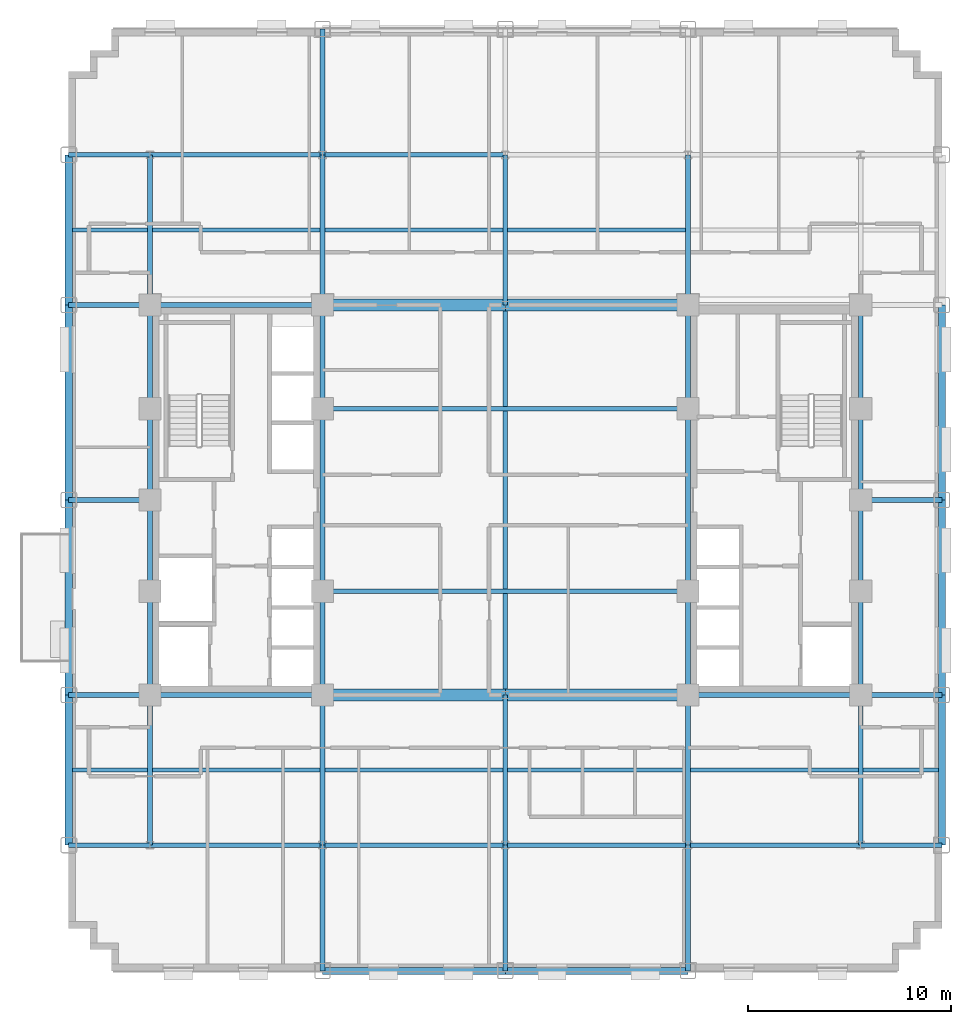
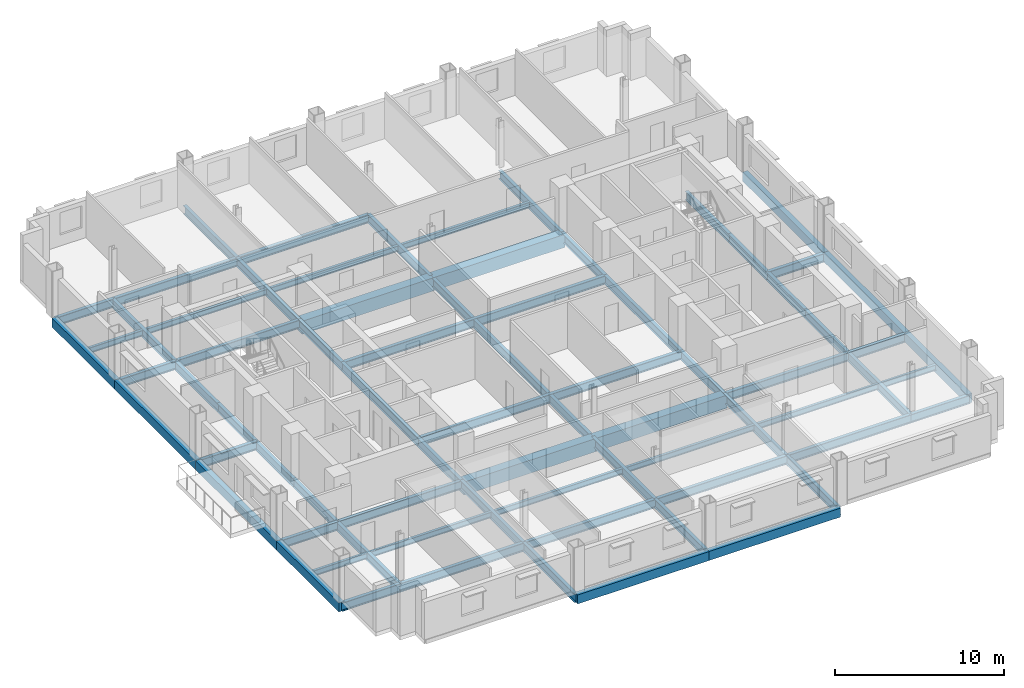
# One storey, part 4 of 14: 70 beams.
"""IFC4 building model written with IfcOpenShell, lengths in metres."""

from ifc_helpers import new_model, si_unit, direction, frame, origin, origin_2d, place, context, subcontext, project, spatial, rectangle, i_section, extrude, material, material_profile, profile_set, type_object, element, save


model = new_model("IFC4")

# Units and contexts
model_context = context("Model", 3, precision=1e-05, world=origin(), true_north=direction((0.0, 1.0)))
body_context = subcontext(model_context, "Body", "Model", "MODEL_VIEW")
ifc_project = project(units=[si_unit("LENGTHUNIT", "METRE"), si_unit("AREAUNIT", "SQUARE_METRE"), si_unit("VOLUMEUNIT", "CUBIC_METRE"), si_unit("PLANEANGLEUNIT", "RADIAN"), si_unit("MASSUNIT", "GRAM", prefix="KILO")], contexts=[model_context])

# Site, building, storey
site_placement = place(None, origin())
site = spatial("IfcSite", under=ifc_project, at=site_placement, CompositionType="ELEMENT")
building_placement = place(site_placement, origin())
building = spatial("IfcBuilding", under=site, at=building_placement, Name="Nuvemarco Arch Tower", CompositionType="ELEMENT")
storey_placement = place(building_placement, frame((0.0, 0.0, 64.10009765625)))
storey = spatial("IfcBuildingStorey", under=building, at=storey_placement, Name="L16", CompositionType="ELEMENT", Elevation=64.10009765625)

# Beams
ifc_material_1 = material(Name="Concrete C60/75", Category="concrete")
ifc_material_profile_1 = material_profile(ifc_material_1, rectangle(XDim=0.60009765625, YDim=0.949951171875, at=origin_2d()), Name="RC-BM-600x950")
ifc_profile_set_1 = profile_set([ifc_material_profile_1], Name="Concrete C60/75")
beam_type_1 = type_object("IfcBeamType", Name="BM-COUP-RC", PredefinedType="LINTEL", material=ifc_profile_set_1)
for number, where, z_axis, x_axis, name in (
    (1, (-9.0, -9.60009765625, -0.755126953125), (1.0, 0.0, 0.0), (0.0, 1.0, 0.0), "L16 structural beam BGEW_L16_0_-9.6_-9.0"),
    (2, (0.0, -9.60009765625, -0.755126953125), (1.0, 0.0, 0.0), (0.0, 1.0, 0.0), "L16 structural beam BGEW_L16_0_-9.6_+0.0"),
    (3, (-9.0, 9.60009765625, -0.755126953125), (1.0, 0.0, 0.0), (0.0, 1.0, 0.0), "L16 structural beam BGEW_L16_0_+9.6_-9.0"),
    (4, (0.0, 9.60009765625, -0.755126953125), (1.0, 0.0, 0.0), (0.0, 1.0, 0.0), "L16 structural beam BGEW_L16_0_+9.6_+0.0"),
):
    element("IfcBeam", number, at=place(storey_placement, frame(where, z_axis=z_axis, x_axis=x_axis)), inside=storey, type_object=beam_type_1, Name=name, PredefinedType="LINTEL", context=body_context, shape_type="SweptSolid", body=[
        extrude(rectangle(XDim=0.60009765625, YDim=0.949951171875, at=origin_2d()), origin(), (0.0, 0.0, 1.0), 9.0),
    ])
ifc_material_2 = material(Name="Steel S355", Category="steel")
ifc_material_profile_2 = material_profile(ifc_material_2, i_section(OverallWidth=0.22998046875, OverallDepth=0.616943359375, WebThickness=0.01318359375, FlangeThickness=0.022216796875, FilletRadius=0.01611328125, at=origin_2d()), Name="W610x140")
ifc_profile_set_2 = profile_set([ifc_material_profile_2], Name="Steel S355")
beam_type_2 = type_object("IfcBeamType", Name="BM-GIRD-610", PredefinedType="BEAM", material=ifc_profile_set_2)
beam_1_placement = place(storey_placement, frame((-17.5, -17.0, -0.588623046875), z_axis=(0.0, 1.0, 0.0), x_axis=(-1.0, 0.0, 0.0)))
element("IfcBeam", 5, at=beam_1_placement, inside=storey, type_object=beam_type_2, Name="L16 structural beam BGNS_L16_0_-17.5_-17.0", PredefinedType="BEAM", context=body_context, shape_type="SweptSolid", body=[
    extrude(i_section(OverallWidth=0.22998046875, OverallDepth=0.616943359375, WebThickness=0.01318359375, FlangeThickness=0.022216796875, FilletRadius=0.01611328125, at=origin_2d()), origin(), (0.0, 0.0, 1.0), 7.39990234375),
])
beam_2_placement = place(storey_placement, frame((-17.5, -9.60009765625, -0.588623046875), z_axis=(0.0, 1.0, 0.0), x_axis=(-1.0, 0.0, 0.0)))
element("IfcBeam", 6, at=beam_2_placement, inside=storey, type_object=beam_type_2, Name="L16 structural beam BGNS_L16_0_-17.5_-9.6", PredefinedType="BEAM", context=body_context, shape_type="SweptSolid", body=[
    extrude(i_section(OverallWidth=0.22998046875, OverallDepth=0.616943359375, WebThickness=0.01318359375, FlangeThickness=0.022216796875, FilletRadius=0.01611328125, at=origin_2d()), origin(), (0.0, 0.0, 1.0), 5.10009765625),
])
for number, where, z_axis, x_axis, name in (
    (7, (-17.5, -4.5, -0.588623046875), (0.0, 1.0, 0.0), (-1.0, 0.0, 0.0), "L16 structural beam BGNS_L16_0_-17.5_-4.5"),
    (8, (-17.5, 0.0, -0.588623046875), (0.0, 1.0, 0.0), (-1.0, 0.0, 0.0), "L16 structural beam BGNS_L16_0_-17.5_+0.0"),
):
    element("IfcBeam", number, at=place(storey_placement, frame(where, z_axis=z_axis, x_axis=x_axis)), inside=storey, type_object=beam_type_2, Name=name, PredefinedType="BEAM", context=body_context, shape_type="SweptSolid", body=[
        extrude(i_section(OverallWidth=0.22998046875, OverallDepth=0.616943359375, WebThickness=0.01318359375, FlangeThickness=0.022216796875, FilletRadius=0.01611328125, at=origin_2d()), origin(), (0.0, 0.0, 1.0), 4.5),
    ])
beam_3_placement = place(storey_placement, frame((-17.5, 4.5, -0.588623046875), z_axis=(0.0, 1.0, 0.0), x_axis=(-1.0, 0.0, 0.0)))
element("IfcBeam", 9, at=beam_3_placement, inside=storey, type_object=beam_type_2, Name="L16 structural beam BGNS_L16_0_-17.5_+4.5", PredefinedType="BEAM", context=body_context, shape_type="SweptSolid", body=[
    extrude(i_section(OverallWidth=0.22998046875, OverallDepth=0.616943359375, WebThickness=0.01318359375, FlangeThickness=0.022216796875, FilletRadius=0.01611328125, at=origin_2d()), origin(), (0.0, 0.0, 1.0), 5.10009765625),
])
beam_4_placement = place(storey_placement, frame((-17.5, 9.60009765625, -0.588623046875), z_axis=(0.0, 1.0, 0.0), x_axis=(-1.0, 0.0, 0.0)))
element("IfcBeam", 10, at=beam_4_placement, inside=storey, type_object=beam_type_2, Name="L16 structural beam BGNS_L16_0_-17.5_+9.6", PredefinedType="BEAM", context=body_context, shape_type="SweptSolid", body=[
    extrude(i_section(OverallWidth=0.22998046875, OverallDepth=0.616943359375, WebThickness=0.01318359375, FlangeThickness=0.022216796875, FilletRadius=0.01611328125, at=origin_2d()), origin(), (0.0, 0.0, 1.0), 7.39990234375),
])
beam_5_placement = place(storey_placement, frame((-9.0, -23.199951171875, -0.588623046875), z_axis=(0.0, 1.0, 0.0), x_axis=(-1.0, 0.0, 0.0)))
element("IfcBeam", 11, at=beam_5_placement, inside=storey, type_object=beam_type_2, Name="L16 structural beam BGNS_L16_0_-9.0_-23.2", PredefinedType="BEAM", context=body_context, shape_type="SweptSolid", body=[
    extrude(i_section(OverallWidth=0.22998046875, OverallDepth=0.616943359375, WebThickness=0.01318359375, FlangeThickness=0.022216796875, FilletRadius=0.01611328125, at=origin_2d()), origin(), (0.0, 0.0, 1.0), 6.199951171875),
])
beam_6_placement = place(storey_placement, frame((-9.0, -17.0, -0.588623046875), z_axis=(0.0, 1.0, 0.0), x_axis=(-1.0, 0.0, 0.0)))
element("IfcBeam", 12, at=beam_6_placement, inside=storey, type_object=beam_type_2, Name="L16 structural beam BGNS_L16_0_-9.0_-17.0", PredefinedType="BEAM", context=body_context, shape_type="SweptSolid", body=[
    extrude(i_section(OverallWidth=0.22998046875, OverallDepth=0.616943359375, WebThickness=0.01318359375, FlangeThickness=0.022216796875, FilletRadius=0.01611328125, at=origin_2d()), origin(), (0.0, 0.0, 1.0), 7.39990234375),
])
beam_7_placement = place(storey_placement, frame((-9.0, -9.60009765625, -0.588623046875), z_axis=(0.0, 1.0, 0.0), x_axis=(-1.0, 0.0, 0.0)))
element("IfcBeam", 13, at=beam_7_placement, inside=storey, type_object=beam_type_2, Name="L16 structural beam BGNS_L16_0_-9.0_-9.6", PredefinedType="BEAM", context=body_context, shape_type="SweptSolid", body=[
    extrude(i_section(OverallWidth=0.22998046875, OverallDepth=0.616943359375, WebThickness=0.01318359375, FlangeThickness=0.022216796875, FilletRadius=0.01611328125, at=origin_2d()), origin(), (0.0, 0.0, 1.0), 5.10009765625),
])
beam_8_placement = place(storey_placement, frame((-9.0, -4.5, -0.588623046875), z_axis=(0.0, 1.0, 0.0), x_axis=(-1.0, 0.0, 0.0)))
element("IfcBeam", 14, at=beam_8_placement, inside=storey, type_object=beam_type_2, Name="L16 structural beam BGNS_L16_0_-9.0_-4.5", PredefinedType="BEAM", context=body_context, shape_type="SweptSolid", body=[
    extrude(i_section(OverallWidth=0.22998046875, OverallDepth=0.616943359375, WebThickness=0.01318359375, FlangeThickness=0.022216796875, FilletRadius=0.01611328125, at=origin_2d()), origin(), (0.0, 0.0, 1.0), 9.0),
])
beam_9_placement = place(storey_placement, frame((-9.0, 4.5, -0.588623046875), z_axis=(0.0, 1.0, 0.0), x_axis=(-1.0, 0.0, 0.0)))
element("IfcBeam", 15, at=beam_9_placement, inside=storey, type_object=beam_type_2, Name="L16 structural beam BGNS_L16_0_-9.0_+4.5", PredefinedType="BEAM", context=body_context, shape_type="SweptSolid", body=[
    extrude(i_section(OverallWidth=0.22998046875, OverallDepth=0.616943359375, WebThickness=0.01318359375, FlangeThickness=0.022216796875, FilletRadius=0.01611328125, at=origin_2d()), origin(), (0.0, 0.0, 1.0), 5.10009765625),
])
beam_10_placement = place(storey_placement, frame((-9.0, 9.60009765625, -0.588623046875), z_axis=(0.0, 1.0, 0.0), x_axis=(-1.0, 0.0, 0.0)))
element("IfcBeam", 16, at=beam_10_placement, inside=storey, type_object=beam_type_2, Name="L16 structural beam BGNS_L16_0_-9.0_+9.6", PredefinedType="BEAM", context=body_context, shape_type="SweptSolid", body=[
    extrude(i_section(OverallWidth=0.22998046875, OverallDepth=0.616943359375, WebThickness=0.01318359375, FlangeThickness=0.022216796875, FilletRadius=0.01611328125, at=origin_2d()), origin(), (0.0, 0.0, 1.0), 7.39990234375),
])
for number, where, z_axis, x_axis, name in (
    (17, (-9.0, 17.0, -0.588623046875), (0.0, 1.0, 0.0), (-1.0, 0.0, 0.0), "L16 structural beam BGNS_L16_0_-9.0_+17.0"),
    (18, (0.0, -23.199951171875, -0.588623046875), (0.0, 1.0, 0.0), (-1.0, 0.0, 0.0), "L16 structural beam BGNS_L16_0_+0.0_-23.2"),
):
    element("IfcBeam", number, at=place(storey_placement, frame(where, z_axis=z_axis, x_axis=x_axis)), inside=storey, type_object=beam_type_2, Name=name, PredefinedType="BEAM", context=body_context, shape_type="SweptSolid", body=[
        extrude(i_section(OverallWidth=0.22998046875, OverallDepth=0.616943359375, WebThickness=0.01318359375, FlangeThickness=0.022216796875, FilletRadius=0.01611328125, at=origin_2d()), origin(), (0.0, 0.0, 1.0), 6.199951171875),
    ])
beam_11_placement = place(storey_placement, frame((0.0, -17.0, -0.588623046875), z_axis=(0.0, 1.0, 0.0), x_axis=(-1.0, 0.0, 0.0)))
element("IfcBeam", 19, at=beam_11_placement, inside=storey, type_object=beam_type_2, Name="L16 structural beam BGNS_L16_0_+0.0_-17.0", PredefinedType="BEAM", context=body_context, shape_type="SweptSolid", body=[
    extrude(i_section(OverallWidth=0.22998046875, OverallDepth=0.616943359375, WebThickness=0.01318359375, FlangeThickness=0.022216796875, FilletRadius=0.01611328125, at=origin_2d()), origin(), (0.0, 0.0, 1.0), 7.39990234375),
])
beam_12_placement = place(storey_placement, frame((0.0, -9.60009765625, -0.588623046875), z_axis=(0.0, 1.0, 0.0), x_axis=(-1.0, 0.0, 0.0)))
element("IfcBeam", 20, at=beam_12_placement, inside=storey, type_object=beam_type_2, Name="L16 structural beam BGNS_L16_0_+0.0_-9.6", PredefinedType="BEAM", context=body_context, shape_type="SweptSolid", body=[
    extrude(i_section(OverallWidth=0.22998046875, OverallDepth=0.616943359375, WebThickness=0.01318359375, FlangeThickness=0.022216796875, FilletRadius=0.01611328125, at=origin_2d()), origin(), (0.0, 0.0, 1.0), 19.2001953125),
])
beam_13_placement = place(storey_placement, frame((0.0, 9.60009765625, -0.588623046875), z_axis=(0.0, 1.0, 0.0), x_axis=(-1.0, 0.0, 0.0)))
element("IfcBeam", 21, at=beam_13_placement, inside=storey, type_object=beam_type_2, Name="L16 structural beam BGNS_L16_0_+0.0_+9.6", PredefinedType="BEAM", context=body_context, shape_type="SweptSolid", body=[
    extrude(i_section(OverallWidth=0.22998046875, OverallDepth=0.616943359375, WebThickness=0.01318359375, FlangeThickness=0.022216796875, FilletRadius=0.01611328125, at=origin_2d()), origin(), (0.0, 0.0, 1.0), 7.39990234375),
])
beam_14_placement = place(storey_placement, frame((9.0, -23.199951171875, -0.588623046875), z_axis=(0.0, 1.0, 0.0), x_axis=(-1.0, 0.0, 0.0)))
element("IfcBeam", 22, at=beam_14_placement, inside=storey, type_object=beam_type_2, Name="L16 structural beam BGNS_L16_0_+9.0_-23.2", PredefinedType="BEAM", context=body_context, shape_type="SweptSolid", body=[
    extrude(i_section(OverallWidth=0.22998046875, OverallDepth=0.616943359375, WebThickness=0.01318359375, FlangeThickness=0.022216796875, FilletRadius=0.01611328125, at=origin_2d()), origin(), (0.0, 0.0, 1.0), 6.199951171875),
])
beam_15_placement = place(storey_placement, frame((9.0, -17.0, -0.588623046875), z_axis=(0.0, 1.0, 0.0), x_axis=(-1.0, 0.0, 0.0)))
element("IfcBeam", 23, at=beam_15_placement, inside=storey, type_object=beam_type_2, Name="L16 structural beam BGNS_L16_0_+9.0_-17.0", PredefinedType="BEAM", context=body_context, shape_type="SweptSolid", body=[
    extrude(i_section(OverallWidth=0.22998046875, OverallDepth=0.616943359375, WebThickness=0.01318359375, FlangeThickness=0.022216796875, FilletRadius=0.01611328125, at=origin_2d()), origin(), (0.0, 0.0, 1.0), 7.39990234375),
])
beam_16_placement = place(storey_placement, frame((9.0, -9.60009765625, -0.588623046875), z_axis=(0.0, 1.0, 0.0), x_axis=(-1.0, 0.0, 0.0)))
element("IfcBeam", 24, at=beam_16_placement, inside=storey, type_object=beam_type_2, Name="L16 structural beam BGNS_L16_0_+9.0_-9.6", PredefinedType="BEAM", context=body_context, shape_type="SweptSolid", body=[
    extrude(i_section(OverallWidth=0.22998046875, OverallDepth=0.616943359375, WebThickness=0.01318359375, FlangeThickness=0.022216796875, FilletRadius=0.01611328125, at=origin_2d()), origin(), (0.0, 0.0, 1.0), 5.10009765625),
])
beam_17_placement = place(storey_placement, frame((9.0, -4.5, -0.588623046875), z_axis=(0.0, 1.0, 0.0), x_axis=(-1.0, 0.0, 0.0)))
element("IfcBeam", 25, at=beam_17_placement, inside=storey, type_object=beam_type_2, Name="L16 structural beam BGNS_L16_0_+9.0_-4.5", PredefinedType="BEAM", context=body_context, shape_type="SweptSolid", body=[
    extrude(i_section(OverallWidth=0.22998046875, OverallDepth=0.616943359375, WebThickness=0.01318359375, FlangeThickness=0.022216796875, FilletRadius=0.01611328125, at=origin_2d()), origin(), (0.0, 0.0, 1.0), 9.0),
])
beam_18_placement = place(storey_placement, frame((9.0, 4.5, -0.588623046875), z_axis=(0.0, 1.0, 0.0), x_axis=(-1.0, 0.0, 0.0)))
element("IfcBeam", 26, at=beam_18_placement, inside=storey, type_object=beam_type_2, Name="L16 structural beam BGNS_L16_0_+9.0_+4.5", PredefinedType="BEAM", context=body_context, shape_type="SweptSolid", body=[
    extrude(i_section(OverallWidth=0.22998046875, OverallDepth=0.616943359375, WebThickness=0.01318359375, FlangeThickness=0.022216796875, FilletRadius=0.01611328125, at=origin_2d()), origin(), (0.0, 0.0, 1.0), 5.10009765625),
])
for number, where, z_axis, x_axis, name in (
    (27, (9.0, 9.60009765625, -0.588623046875), (0.0, 1.0, 0.0), (-1.0, 0.0, 0.0), "L16 structural beam BGNS_L16_0_+9.0_+9.6"),
    (28, (17.5, -17.0, -0.588623046875), (0.0, 1.0, 0.0), (-1.0, 0.0, 0.0), "L16 structural beam BGNS_L16_0_+17.5_-17.0"),
):
    element("IfcBeam", number, at=place(storey_placement, frame(where, z_axis=z_axis, x_axis=x_axis)), inside=storey, type_object=beam_type_2, Name=name, PredefinedType="BEAM", context=body_context, shape_type="SweptSolid", body=[
        extrude(i_section(OverallWidth=0.22998046875, OverallDepth=0.616943359375, WebThickness=0.01318359375, FlangeThickness=0.022216796875, FilletRadius=0.01611328125, at=origin_2d()), origin(), (0.0, 0.0, 1.0), 7.39990234375),
    ])
beam_19_placement = place(storey_placement, frame((17.5, -9.60009765625, -0.588623046875), z_axis=(0.0, 1.0, 0.0), x_axis=(-1.0, 0.0, 0.0)))
element("IfcBeam", 29, at=beam_19_placement, inside=storey, type_object=beam_type_2, Name="L16 structural beam BGNS_L16_0_+17.5_-9.6", PredefinedType="BEAM", context=body_context, shape_type="SweptSolid", body=[
    extrude(i_section(OverallWidth=0.22998046875, OverallDepth=0.616943359375, WebThickness=0.01318359375, FlangeThickness=0.022216796875, FilletRadius=0.01611328125, at=origin_2d()), origin(), (0.0, 0.0, 1.0), 5.10009765625),
])
for number, where, z_axis, x_axis, name in (
    (30, (17.5, -4.5, -0.588623046875), (0.0, 1.0, 0.0), (-1.0, 0.0, 0.0), "L16 structural beam BGNS_L16_0_+17.5_-4.5"),
    (31, (17.5, 0.0, -0.588623046875), (0.0, 1.0, 0.0), (-1.0, 0.0, 0.0), "L16 structural beam BGNS_L16_0_+17.5_+0.0"),
):
    element("IfcBeam", number, at=place(storey_placement, frame(where, z_axis=z_axis, x_axis=x_axis)), inside=storey, type_object=beam_type_2, Name=name, PredefinedType="BEAM", context=body_context, shape_type="SweptSolid", body=[
        extrude(i_section(OverallWidth=0.22998046875, OverallDepth=0.616943359375, WebThickness=0.01318359375, FlangeThickness=0.022216796875, FilletRadius=0.01611328125, at=origin_2d()), origin(), (0.0, 0.0, 1.0), 4.5),
    ])
beam_20_placement = place(storey_placement, frame((17.5, 4.5, -0.588623046875), z_axis=(0.0, 1.0, 0.0), x_axis=(-1.0, 0.0, 0.0)))
element("IfcBeam", 32, at=beam_20_placement, inside=storey, type_object=beam_type_2, Name="L16 structural beam BGNS_L16_0_+17.5_+4.5", PredefinedType="BEAM", context=body_context, shape_type="SweptSolid", body=[
    extrude(i_section(OverallWidth=0.22998046875, OverallDepth=0.616943359375, WebThickness=0.01318359375, FlangeThickness=0.022216796875, FilletRadius=0.01611328125, at=origin_2d()), origin(), (0.0, 0.0, 1.0), 5.10009765625),
])
beam_21_placement = place(storey_placement, frame((-21.5, -17.0, -0.588623046875), z_axis=(1.0, 0.0, 0.0), x_axis=(0.0, 1.0, 0.0)))
element("IfcBeam", 33, at=beam_21_placement, inside=storey, type_object=beam_type_2, Name="L16 structural beam BGEW_L16_0_-17.0_-21.5", PredefinedType="BEAM", context=body_context, shape_type="SweptSolid", body=[
    extrude(i_section(OverallWidth=0.22998046875, OverallDepth=0.616943359375, WebThickness=0.01318359375, FlangeThickness=0.022216796875, FilletRadius=0.01611328125, at=origin_2d()), origin(), (0.0, 0.0, 1.0), 4.0),
])
beam_22_placement = place(storey_placement, frame((-17.5, -17.0, -0.588623046875), z_axis=(1.0, 0.0, 0.0), x_axis=(0.0, 1.0, 0.0)))
element("IfcBeam", 34, at=beam_22_placement, inside=storey, type_object=beam_type_2, Name="L16 structural beam BGEW_L16_0_-17.0_-17.5", PredefinedType="BEAM", context=body_context, shape_type="SweptSolid", body=[
    extrude(i_section(OverallWidth=0.22998046875, OverallDepth=0.616943359375, WebThickness=0.01318359375, FlangeThickness=0.022216796875, FilletRadius=0.01611328125, at=origin_2d()), origin(), (0.0, 0.0, 1.0), 8.5),
])
for number, where, z_axis, x_axis, name in (
    (35, (-9.0, -17.0, -0.588623046875), (1.0, 0.0, 0.0), (0.0, 1.0, 0.0), "L16 structural beam BGEW_L16_0_-17.0_-9.0"),
    (36, (0.0, -17.0, -0.588623046875), (1.0, 0.0, 0.0), (0.0, 1.0, 0.0), "L16 structural beam BGEW_L16_0_-17.0_+0.0"),
):
    element("IfcBeam", number, at=place(storey_placement, frame(where, z_axis=z_axis, x_axis=x_axis)), inside=storey, type_object=beam_type_2, Name=name, PredefinedType="BEAM", context=body_context, shape_type="SweptSolid", body=[
        extrude(i_section(OverallWidth=0.22998046875, OverallDepth=0.616943359375, WebThickness=0.01318359375, FlangeThickness=0.022216796875, FilletRadius=0.01611328125, at=origin_2d()), origin(), (0.0, 0.0, 1.0), 9.0),
    ])
beam_23_placement = place(storey_placement, frame((9.0, -17.0, -0.588623046875), z_axis=(1.0, 0.0, 0.0), x_axis=(0.0, 1.0, 0.0)))
element("IfcBeam", 37, at=beam_23_placement, inside=storey, type_object=beam_type_2, Name="L16 structural beam BGEW_L16_0_-17.0_+9.0", PredefinedType="BEAM", context=body_context, shape_type="SweptSolid", body=[
    extrude(i_section(OverallWidth=0.22998046875, OverallDepth=0.616943359375, WebThickness=0.01318359375, FlangeThickness=0.022216796875, FilletRadius=0.01611328125, at=origin_2d()), origin(), (0.0, 0.0, 1.0), 8.5),
])
for number, where, z_axis, x_axis, name in (
    (38, (17.5, -17.0, -0.588623046875), (1.0, 0.0, 0.0), (0.0, 1.0, 0.0), "L16 structural beam BGEW_L16_0_-17.0_+17.5"),
    (39, (-21.5, -9.60009765625, -0.588623046875), (1.0, 0.0, 0.0), (0.0, 1.0, 0.0), "L16 structural beam BGEW_L16_0_-9.6_-21.5"),
):
    element("IfcBeam", number, at=place(storey_placement, frame(where, z_axis=z_axis, x_axis=x_axis)), inside=storey, type_object=beam_type_2, Name=name, PredefinedType="BEAM", context=body_context, shape_type="SweptSolid", body=[
        extrude(i_section(OverallWidth=0.22998046875, OverallDepth=0.616943359375, WebThickness=0.01318359375, FlangeThickness=0.022216796875, FilletRadius=0.01611328125, at=origin_2d()), origin(), (0.0, 0.0, 1.0), 4.0),
    ])
for number, where, z_axis, x_axis, name in (
    (40, (-17.5, -9.60009765625, -0.588623046875), (1.0, 0.0, 0.0), (0.0, 1.0, 0.0), "L16 structural beam BGEW_L16_0_-9.6_-17.5"),
    (41, (9.0, -9.60009765625, -0.588623046875), (1.0, 0.0, 0.0), (0.0, 1.0, 0.0), "L16 structural beam BGEW_L16_0_-9.6_+9.0"),
):
    element("IfcBeam", number, at=place(storey_placement, frame(where, z_axis=z_axis, x_axis=x_axis)), inside=storey, type_object=beam_type_2, Name=name, PredefinedType="BEAM", context=body_context, shape_type="SweptSolid", body=[
        extrude(i_section(OverallWidth=0.22998046875, OverallDepth=0.616943359375, WebThickness=0.01318359375, FlangeThickness=0.022216796875, FilletRadius=0.01611328125, at=origin_2d()), origin(), (0.0, 0.0, 1.0), 8.5),
    ])
beam_24_placement = place(storey_placement, frame((17.5, -9.60009765625, -0.588623046875), z_axis=(1.0, 0.0, 0.0), x_axis=(0.0, 1.0, 0.0)))
element("IfcBeam", 42, at=beam_24_placement, inside=storey, type_object=beam_type_2, Name="L16 structural beam BGEW_L16_0_-9.6_+17.5", PredefinedType="BEAM", context=body_context, shape_type="SweptSolid", body=[
    extrude(i_section(OverallWidth=0.22998046875, OverallDepth=0.616943359375, WebThickness=0.01318359375, FlangeThickness=0.022216796875, FilletRadius=0.01611328125, at=origin_2d()), origin(), (0.0, 0.0, 1.0), 4.0),
])
beam_25_placement = place(storey_placement, frame((-9.0, -4.5, -0.588623046875), z_axis=(1.0, 0.0, 0.0), x_axis=(0.0, 1.0, 0.0)))
element("IfcBeam", 43, at=beam_25_placement, inside=storey, type_object=beam_type_2, Name="L16 structural beam BGEW_L16_0_-4.5_-9.0", PredefinedType="BEAM", context=body_context, shape_type="SweptSolid", body=[
    extrude(i_section(OverallWidth=0.22998046875, OverallDepth=0.616943359375, WebThickness=0.01318359375, FlangeThickness=0.022216796875, FilletRadius=0.01611328125, at=origin_2d()), origin(), (0.0, 0.0, 1.0), 18.0),
])
for number, where, z_axis, x_axis, name in (
    (44, (-21.5, 0.0, -0.588623046875), (1.0, 0.0, 0.0), (0.0, 1.0, 0.0), "L16 structural beam BGEW_L16_0_+0.0_-21.5"),
    (45, (17.5, 0.0, -0.588623046875), (1.0, 0.0, 0.0), (0.0, 1.0, 0.0), "L16 structural beam BGEW_L16_0_+0.0_+17.5"),
):
    element("IfcBeam", number, at=place(storey_placement, frame(where, z_axis=z_axis, x_axis=x_axis)), inside=storey, type_object=beam_type_2, Name=name, PredefinedType="BEAM", context=body_context, shape_type="SweptSolid", body=[
        extrude(i_section(OverallWidth=0.22998046875, OverallDepth=0.616943359375, WebThickness=0.01318359375, FlangeThickness=0.022216796875, FilletRadius=0.01611328125, at=origin_2d()), origin(), (0.0, 0.0, 1.0), 4.0),
    ])
beam_26_placement = place(storey_placement, frame((-9.0, 4.5, -0.588623046875), z_axis=(1.0, 0.0, 0.0), x_axis=(0.0, 1.0, 0.0)))
element("IfcBeam", 46, at=beam_26_placement, inside=storey, type_object=beam_type_2, Name="L16 structural beam BGEW_L16_0_+4.5_-9.0", PredefinedType="BEAM", context=body_context, shape_type="SweptSolid", body=[
    extrude(i_section(OverallWidth=0.22998046875, OverallDepth=0.616943359375, WebThickness=0.01318359375, FlangeThickness=0.022216796875, FilletRadius=0.01611328125, at=origin_2d()), origin(), (0.0, 0.0, 1.0), 18.0),
])
beam_27_placement = place(storey_placement, frame((-21.5, 9.60009765625, -0.588623046875), z_axis=(1.0, 0.0, 0.0), x_axis=(0.0, 1.0, 0.0)))
element("IfcBeam", 47, at=beam_27_placement, inside=storey, type_object=beam_type_2, Name="L16 structural beam BGEW_L16_0_+9.6_-21.5", PredefinedType="BEAM", context=body_context, shape_type="SweptSolid", body=[
    extrude(i_section(OverallWidth=0.22998046875, OverallDepth=0.616943359375, WebThickness=0.01318359375, FlangeThickness=0.022216796875, FilletRadius=0.01611328125, at=origin_2d()), origin(), (0.0, 0.0, 1.0), 4.0),
])
beam_28_placement = place(storey_placement, frame((-17.5, 9.60009765625, -0.588623046875), z_axis=(1.0, 0.0, 0.0), x_axis=(0.0, 1.0, 0.0)))
element("IfcBeam", 48, at=beam_28_placement, inside=storey, type_object=beam_type_2, Name="L16 structural beam BGEW_L16_0_+9.6_-17.5", PredefinedType="BEAM", context=body_context, shape_type="SweptSolid", body=[
    extrude(i_section(OverallWidth=0.22998046875, OverallDepth=0.616943359375, WebThickness=0.01318359375, FlangeThickness=0.022216796875, FilletRadius=0.01611328125, at=origin_2d()), origin(), (0.0, 0.0, 1.0), 8.5),
])
beam_29_placement = place(storey_placement, frame((-21.5, 17.0, -0.588623046875), z_axis=(1.0, 0.0, 0.0), x_axis=(0.0, 1.0, 0.0)))
element("IfcBeam", 49, at=beam_29_placement, inside=storey, type_object=beam_type_2, Name="L16 structural beam BGEW_L16_0_+17.0_-21.5", PredefinedType="BEAM", context=body_context, shape_type="SweptSolid", body=[
    extrude(i_section(OverallWidth=0.22998046875, OverallDepth=0.616943359375, WebThickness=0.01318359375, FlangeThickness=0.022216796875, FilletRadius=0.01611328125, at=origin_2d()), origin(), (0.0, 0.0, 1.0), 4.0),
])
beam_30_placement = place(storey_placement, frame((-17.5, 17.0, -0.588623046875), z_axis=(1.0, 0.0, 0.0), x_axis=(0.0, 1.0, 0.0)))
element("IfcBeam", 50, at=beam_30_placement, inside=storey, type_object=beam_type_2, Name="L16 structural beam BGEW_L16_0_+17.0_-17.5", PredefinedType="BEAM", context=body_context, shape_type="SweptSolid", body=[
    extrude(i_section(OverallWidth=0.22998046875, OverallDepth=0.616943359375, WebThickness=0.01318359375, FlangeThickness=0.022216796875, FilletRadius=0.01611328125, at=origin_2d()), origin(), (0.0, 0.0, 1.0), 8.5),
])
beam_31_placement = place(storey_placement, frame((-9.0, 17.0, -0.588623046875), z_axis=(1.0, 0.0, 0.0), x_axis=(0.0, 1.0, 0.0)))
element("IfcBeam", 51, at=beam_31_placement, inside=storey, type_object=beam_type_2, Name="L16 structural beam BGEW_L16_0_+17.0_-9.0", PredefinedType="BEAM", context=body_context, shape_type="SweptSolid", body=[
    extrude(i_section(OverallWidth=0.22998046875, OverallDepth=0.616943359375, WebThickness=0.01318359375, FlangeThickness=0.022216796875, FilletRadius=0.01611328125, at=origin_2d()), origin(), (0.0, 0.0, 1.0), 9.0),
])
ifc_material_profile_3 = material_profile(ifc_material_2, i_section(OverallWidth=0.179931640625, OverallDepth=0.4130859375, WebThickness=0.009765625, FlangeThickness=0.01611328125, FilletRadius=0.014892578125, at=origin_2d()), Name="W410x75")
ifc_profile_set_3 = profile_set([ifc_material_profile_3], Name="Steel S355")
beam_type_3 = type_object("IfcBeamType", Name="BM-JOIST-410", PredefinedType="JOIST", material=ifc_profile_set_3)
beam_32_placement = place(storey_placement, frame((-21.324951171875, -13.300048828125, -0.486572265625), z_axis=(1.0, 0.0, 0.0), x_axis=(0.0, 1.0, 0.0)))
element("IfcBeam", 52, at=beam_32_placement, inside=storey, type_object=beam_type_3, Name="L16 structural beam BJ_L16_0_-13.3_-21.5", PredefinedType="JOIST", context=body_context, shape_type="SweptSolid", body=[
    extrude(i_section(OverallWidth=0.179931640625, OverallDepth=0.4130859375, WebThickness=0.009765625, FlangeThickness=0.01611328125, FilletRadius=0.014892578125, at=origin_2d()), origin(), (0.0, 0.0, 1.0), 3.7099609375),
])
beam_33_placement = place(storey_placement, frame((-17.385009765625, -13.300048828125, -0.486572265625), z_axis=(1.0, 0.0, 0.0), x_axis=(0.0, 1.0, 0.0)))
element("IfcBeam", 53, at=beam_33_placement, inside=storey, type_object=beam_type_3, Name="L16 structural beam BJ_L16_0_-13.3_-17.5", PredefinedType="JOIST", context=body_context, shape_type="SweptSolid", body=[
    extrude(i_section(OverallWidth=0.179931640625, OverallDepth=0.4130859375, WebThickness=0.009765625, FlangeThickness=0.01611328125, FilletRadius=0.014892578125, at=origin_2d()), origin(), (0.0, 0.0, 1.0), 8.27001953125),
])
for number, where, z_axis, x_axis, name in (
    (54, (-8.885009765625, -13.300048828125, -0.486572265625), (1.0, 0.0, 0.0), (0.0, 1.0, 0.0), "L16 structural beam BJ_L16_0_-13.3_-9.0"),
    (55, (0.114990234375, -13.300048828125, -0.486572265625), (1.0, 0.0, 0.0), (0.0, 1.0, 0.0), "L16 structural beam BJ_L16_0_-13.3_+0.0"),
):
    element("IfcBeam", number, at=place(storey_placement, frame(where, z_axis=z_axis, x_axis=x_axis)), inside=storey, type_object=beam_type_3, Name=name, PredefinedType="JOIST", context=body_context, shape_type="SweptSolid", body=[
        extrude(i_section(OverallWidth=0.179931640625, OverallDepth=0.4130859375, WebThickness=0.009765625, FlangeThickness=0.01611328125, FilletRadius=0.014892578125, at=origin_2d()), origin(), (0.0, 0.0, 1.0), 8.77001953125),
    ])
beam_34_placement = place(storey_placement, frame((9.114990234375, -13.300048828125, -0.486572265625), z_axis=(1.0, 0.0, 0.0), x_axis=(0.0, 1.0, 0.0)))
element("IfcBeam", 56, at=beam_34_placement, inside=storey, type_object=beam_type_3, Name="L16 structural beam BJ_L16_0_-13.3_+9.0", PredefinedType="JOIST", context=body_context, shape_type="SweptSolid", body=[
    extrude(i_section(OverallWidth=0.179931640625, OverallDepth=0.4130859375, WebThickness=0.009765625, FlangeThickness=0.01611328125, FilletRadius=0.014892578125, at=origin_2d()), origin(), (0.0, 0.0, 1.0), 8.27001953125),
])
for number, where, z_axis, x_axis, name in (
    (57, (17.614990234375, -13.300048828125, -0.486572265625), (1.0, 0.0, 0.0), (0.0, 1.0, 0.0), "L16 structural beam BJ_L16_0_-13.3_+17.5"),
    (58, (-21.324951171875, 13.300048828125, -0.486572265625), (1.0, 0.0, 0.0), (0.0, 1.0, 0.0), "L16 structural beam BJ_L16_0_+13.3_-21.5"),
):
    element("IfcBeam", number, at=place(storey_placement, frame(where, z_axis=z_axis, x_axis=x_axis)), inside=storey, type_object=beam_type_3, Name=name, PredefinedType="JOIST", context=body_context, shape_type="SweptSolid", body=[
        extrude(i_section(OverallWidth=0.179931640625, OverallDepth=0.4130859375, WebThickness=0.009765625, FlangeThickness=0.01611328125, FilletRadius=0.014892578125, at=origin_2d()), origin(), (0.0, 0.0, 1.0), 3.7099609375),
    ])
beam_35_placement = place(storey_placement, frame((-17.385009765625, 13.300048828125, -0.486572265625), z_axis=(1.0, 0.0, 0.0), x_axis=(0.0, 1.0, 0.0)))
element("IfcBeam", 59, at=beam_35_placement, inside=storey, type_object=beam_type_3, Name="L16 structural beam BJ_L16_0_+13.3_-17.5", PredefinedType="JOIST", context=body_context, shape_type="SweptSolid", body=[
    extrude(i_section(OverallWidth=0.179931640625, OverallDepth=0.4130859375, WebThickness=0.009765625, FlangeThickness=0.01611328125, FilletRadius=0.014892578125, at=origin_2d()), origin(), (0.0, 0.0, 1.0), 8.27001953125),
])
for number, where, z_axis, x_axis, name in (
    (60, (-8.885009765625, 13.300048828125, -0.486572265625), (1.0, 0.0, 0.0), (0.0, 1.0, 0.0), "L16 structural beam BJ_L16_0_+13.3_-9.0"),
    (61, (0.114990234375, 13.300048828125, -0.486572265625), (1.0, 0.0, 0.0), (0.0, 1.0, 0.0), "L16 structural beam BJ_L16_0_+13.3_+0.0"),
):
    element("IfcBeam", number, at=place(storey_placement, frame(where, z_axis=z_axis, x_axis=x_axis)), inside=storey, type_object=beam_type_3, Name=name, PredefinedType="JOIST", context=body_context, shape_type="SweptSolid", body=[
        extrude(i_section(OverallWidth=0.179931640625, OverallDepth=0.4130859375, WebThickness=0.009765625, FlangeThickness=0.01611328125, FilletRadius=0.014892578125, at=origin_2d()), origin(), (0.0, 0.0, 1.0), 8.77001953125),
    ])
ifc_material_3 = material(Name="Precast concrete C45/55", Category="concrete")
ifc_material_profile_4 = material_profile(ifc_material_3, rectangle(XDim=0.35009765625, YDim=0.64990234375, at=origin_2d()), Name="PC-SP-350x650")
ifc_profile_set_4 = profile_set([ifc_material_profile_4], Name="Precast concrete C45/55")
beam_type_4 = type_object("IfcBeamType", Name="BM-SPAN-RC", PredefinedType="SPANDREL", material=ifc_profile_set_4)
beam_36_placement = place(storey_placement, frame((-21.5, -17.0, -0.60498046875), z_axis=(0.0, 1.0, 0.0), x_axis=(-1.0, 0.0, 0.0)))
element("IfcBeam", 62, at=beam_36_placement, inside=storey, type_object=beam_type_4, Name="L16 structural beam BGNS_L16_0_-21.5_-17.0", PredefinedType="SPANDREL", context=body_context, shape_type="SweptSolid", body=[
    extrude(rectangle(XDim=0.35009765625, YDim=0.64990234375, at=origin_2d()), origin(), (0.0, 0.0, 1.0), 7.39990234375),
])
for number, where, z_axis, x_axis, name in (
    (63, (-21.5, -9.60009765625, -0.60498046875), (0.0, 1.0, 0.0), (-1.0, 0.0, 0.0), "L16 structural beam BGNS_L16_0_-21.5_-9.6"),
    (64, (-21.5, 0.0, -0.60498046875), (0.0, 1.0, 0.0), (-1.0, 0.0, 0.0), "L16 structural beam BGNS_L16_0_-21.5_+0.0"),
):
    element("IfcBeam", number, at=place(storey_placement, frame(where, z_axis=z_axis, x_axis=x_axis)), inside=storey, type_object=beam_type_4, Name=name, PredefinedType="SPANDREL", context=body_context, shape_type="SweptSolid", body=[
        extrude(rectangle(XDim=0.35009765625, YDim=0.64990234375, at=origin_2d()), origin(), (0.0, 0.0, 1.0), 9.60009765625),
    ])
for number, where, z_axis, x_axis, name in (
    (65, (-21.5, 9.60009765625, -0.60498046875), (0.0, 1.0, 0.0), (-1.0, 0.0, 0.0), "L16 structural beam BGNS_L16_0_-21.5_+9.6"),
    (66, (21.5, -17.0, -0.60498046875), (0.0, 1.0, 0.0), (-1.0, 0.0, 0.0), "L16 structural beam BGNS_L16_0_+21.5_-17.0"),
):
    element("IfcBeam", number, at=place(storey_placement, frame(where, z_axis=z_axis, x_axis=x_axis)), inside=storey, type_object=beam_type_4, Name=name, PredefinedType="SPANDREL", context=body_context, shape_type="SweptSolid", body=[
        extrude(rectangle(XDim=0.35009765625, YDim=0.64990234375, at=origin_2d()), origin(), (0.0, 0.0, 1.0), 7.39990234375),
    ])
for number, where, z_axis, x_axis, name in (
    (67, (21.5, -9.60009765625, -0.60498046875), (0.0, 1.0, 0.0), (-1.0, 0.0, 0.0), "L16 structural beam BGNS_L16_0_+21.5_-9.6"),
    (68, (21.5, 0.0, -0.60498046875), (0.0, 1.0, 0.0), (-1.0, 0.0, 0.0), "L16 structural beam BGNS_L16_0_+21.5_+0.0"),
):
    element("IfcBeam", number, at=place(storey_placement, frame(where, z_axis=z_axis, x_axis=x_axis)), inside=storey, type_object=beam_type_4, Name=name, PredefinedType="SPANDREL", context=body_context, shape_type="SweptSolid", body=[
        extrude(rectangle(XDim=0.35009765625, YDim=0.64990234375, at=origin_2d()), origin(), (0.0, 0.0, 1.0), 9.60009765625),
    ])
for number, where, z_axis, x_axis, name in (
    (69, (-9.0, -23.199951171875, -0.60498046875), (1.0, 0.0, 0.0), (0.0, 1.0, 0.0), "L16 structural beam BGEW_L16_0_-23.2_-9.0"),
    (70, (0.0, -23.199951171875, -0.60498046875), (1.0, 0.0, 0.0), (0.0, 1.0, 0.0), "L16 structural beam BGEW_L16_0_-23.2_+0.0"),
):
    element("IfcBeam", number, at=place(storey_placement, frame(where, z_axis=z_axis, x_axis=x_axis)), inside=storey, type_object=beam_type_4, Name=name, PredefinedType="SPANDREL", context=body_context, shape_type="SweptSolid", body=[
        extrude(rectangle(XDim=0.35009765625, YDim=0.64990234375, at=origin_2d()), origin(), (0.0, 0.0, 1.0), 9.0),
    ])

save(model, "model.ifc")
